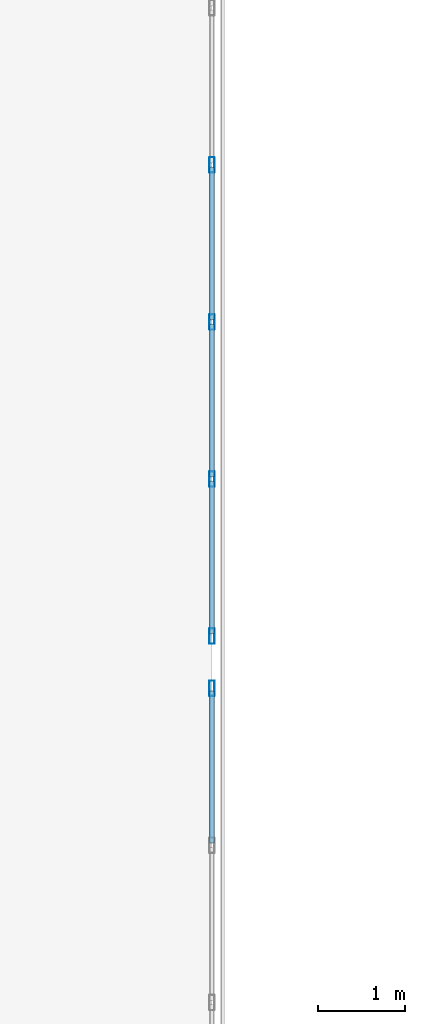
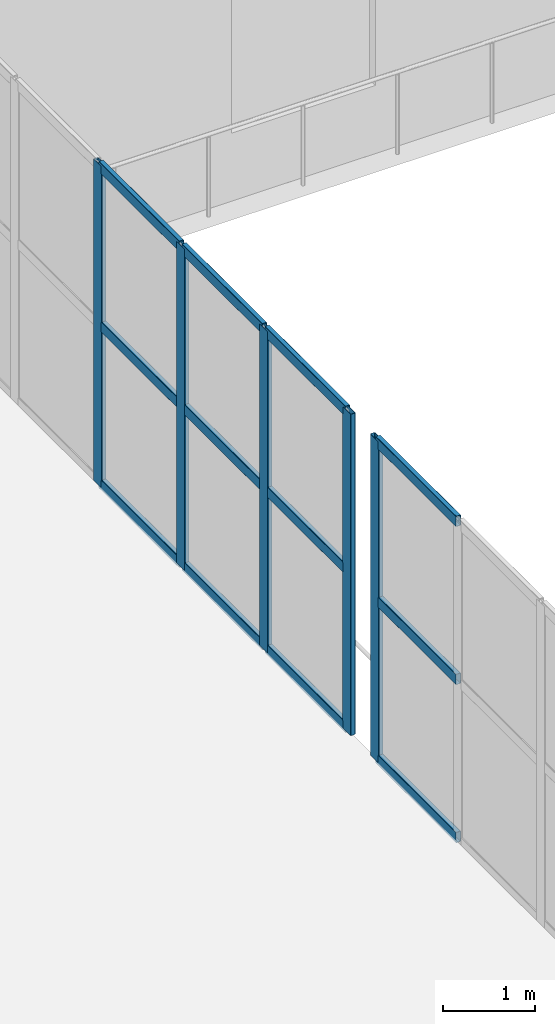
# One storey, part 60 of 170: 17 members, 2 elements without a shape of their own.
"""IFC4 building model written with IfcOpenShell, lengths in metres."""

import ifcopenshell
import ifcopenshell.guid

model = None  # the IFC model being written
_history = None  # IfcOwnerHistory: only IFC2X3 demands one
_inside = {}  # id of a spatial element -> (the spatial element, [elements in it])
_under = {}  # id of a project, library or spatial element -> (it, [spatial elements below it])
_declared = {}  # id of a project -> (the project, [libraries it declares])
_typed = {}  # id of a type object -> (the type object, [elements of that type])
_made_of = {}  # id of a material, layer set ... -> (it, [elements and type objects made of it])


def new_model(schema):
    """Start an empty IFC model of exactly this schema.

    Asked for "IFC4X3", IfcOpenShell would pick the latest addendum, in which some entities
    have other attributes; the version numbers below select the first issue.
    IFC2X3 requires an IfcOwnerHistory on every rooted entity: one is made here for all.
    """
    global model, _history
    if schema == "IFC4X3":
        model = ifcopenshell.file(schema_version=(4, 3, 0, 0))
    else:
        model = ifcopenshell.file(schema=schema)
    _inside.clear()
    _under.clear()
    _declared.clear()
    _typed.clear()
    _made_of.clear()
    _history = None
    if model.schema == "IFC2X3":
        org = make("IfcOrganization", Name="unknown")
        user = make(
            "IfcPersonAndOrganization",
            ThePerson=make("IfcPerson", FamilyName="unknown"),
            TheOrganization=org,
        )
        app = make(
            "IfcApplication",
            ApplicationDeveloper=org,
            Version="unknown",
            ApplicationFullName="unknown",
            ApplicationIdentifier="unknown",
        )
        _history = make(
            "IfcOwnerHistory",
            OwningUser=user,
            OwningApplication=app,
            ChangeAction="ADDED",
            CreationDate=0,
        )
    return model


def make(cls, **values):
    """One entity of the class cls with the attributes given. An attribute that is None is left unset."""
    return model.create_entity(
        cls, **{name: value for name, value in values.items() if value is not None}
    )


def rooted(cls, **values):
    """An entity with a GlobalId (a new one), such as an element, a storey or a relation."""
    return make(cls, GlobalId=ifcopenshell.guid.new(), OwnerHistory=_history, **values)


def si_unit(unit_type, name, prefix=None):
    """IfcSIUnit, for example si_unit("LENGTHUNIT", "METRE", prefix="MILLI")."""
    return make("IfcSIUnit", UnitType=unit_type, Prefix=prefix, Name=name)


def assignment(units):
    """IfcUnitAssignment: the units of a project."""
    return None if units is None else make("IfcUnitAssignment", Units=units)


def point(xyz):
    """IfcCartesianPoint."""
    return None if xyz is None else make("IfcCartesianPoint", Coordinates=xyz)


def direction(xyz):
    """IfcDirection."""
    return None if xyz is None else make("IfcDirection", DirectionRatios=xyz)


def frame(location, z_axis=None, x_axis=None):
    """IfcAxis2Placement3D, a coordinate frame: its origin and axes. An axis left out is left unset."""
    return make(
        "IfcAxis2Placement3D",
        Location=point(location),
        Axis=direction(z_axis),
        RefDirection=direction(x_axis),
    )


def frame_2d(location, x_axis=None):
    """IfcAxis2Placement2D, a coordinate frame in the plane: its origin and x axis."""
    return make(
        "IfcAxis2Placement2D", Location=point(location), RefDirection=direction(x_axis)
    )


def origin():
    """The frame at (0, 0, 0) with its axes left unset."""
    return frame((0.0, 0.0, 0.0))


def origin_2d():
    """The frame at (0, 0) in the plane with its x axis left unset."""
    return frame_2d((0.0, 0.0))


def place(relative_to, where):
    """IfcLocalPlacement: puts the frame where relative to a parent placement (None: the world)."""
    return make(
        "IfcLocalPlacement", PlacementRelTo=relative_to, RelativePlacement=where
    )


def context(
    kind, dimensions, precision=None, world=None, true_north=None, identifier=None
):
    """IfcGeometricRepresentationContext, for example the 3D "Model" context."""
    return make(
        "IfcGeometricRepresentationContext",
        ContextIdentifier=identifier,
        ContextType=kind,
        CoordinateSpaceDimension=dimensions,
        Precision=precision,
        WorldCoordinateSystem=world,
        TrueNorth=true_north,
    )


def subcontext(parent, identifier, kind, view, scale=None):
    """IfcGeometricRepresentationSubContext, for example "Body" below "Model"."""
    return make(
        "IfcGeometricRepresentationSubContext",
        ContextIdentifier=identifier,
        ContextType=kind,
        ParentContext=parent,
        TargetScale=scale,
        TargetView=view,
    )


def project(units=None, contexts=None):
    """IfcProject with its units and contexts."""
    return rooted(
        "IfcProject",
        Name="project",
        RepresentationContexts=contexts,
        UnitsInContext=assignment(units),
    )


def spatial(cls, under=None, at=None, **own):
    """A site, building, storey or space (cls), placed at a placement, below another one or the project."""
    s = rooted(cls, ObjectPlacement=at, **own)
    if under is not None:
        _under.setdefault(under.id(), (under, []))[1].append(s)
    return s


def profile(cls, at=None, kind="AREA", **sizes):
    """A parametric profile (cls). Its sizes go by their IFC names, for example OverallWidth=200.0."""
    return make(cls, ProfileType=kind, Position=at, **sizes)


def hollow_rectangle(**sizes):
    """IfcRectangleHollowProfileDef."""
    return profile("IfcRectangleHollowProfileDef", **sizes)


def extrude(swept, where, along, depth):
    """IfcExtrudedAreaSolid: the profile swept, set in the frame where, extruded along a direction by depth."""
    return make(
        "IfcExtrudedAreaSolid",
        SweptArea=swept,
        Position=where,
        ExtrudedDirection=direction(along),
        Depth=depth,
    )


def shape(context_of_items, identifier, shape_type, items):
    """IfcShapeRepresentation: the items that make up one representation, for example the "Body"."""
    return make(
        "IfcShapeRepresentation",
        ContextOfItems=context_of_items,
        RepresentationIdentifier=identifier,
        RepresentationType=shape_type,
        Items=items,
    )


def material(Name=None, Category=None):
    """IfcMaterial."""
    return make("IfcMaterial", Name=Name, Category=Category)


def material_profile(
    of_material, cross_section, Name=None, Category=None, Priority=None
):
    """IfcMaterialProfile: a cross section and its material."""
    return make(
        "IfcMaterialProfile",
        Name=Name,
        Material=of_material,
        Profile=cross_section,
        Priority=Priority,
        Category=Category,
    )


def profile_set(profiles, Name=None, composite=None):
    """IfcMaterialProfileSet."""
    return make(
        "IfcMaterialProfileSet",
        Name=Name,
        MaterialProfiles=profiles,
        CompositeProfile=composite,
    )


def made_of(thing, what):
    """Note that an element or type object is made of a material, layer set ...; save() writes the relation."""
    if what is not None:
        _made_of.setdefault(what.id(), (what, []))[1].append(thing)
    return thing


def type_object(cls, material=None, **own):
    """A type object (cls), such as IfcWallType, which elements share."""
    return made_of(rooted(cls, **own), material)


def element(
    cls,
    number,
    at=None,
    inside=None,
    cuts=None,
    type_object=None,
    material=None,
    context=None,
    identifier="Body",
    shape_type=None,
    held_by="IfcProductDefinitionShape",
    body=None,
    shapes=None,
    **own,
):
    """One element of the class cls, such as IfcWall. Its Tag is "e" and its number.

    at: its placement. inside: the storey or other place that contains it. cuts: it is an
    opening in that element (IfcRelVoidsElement). A single representation is given by context,
    identifier, shape_type and body (its items); several are given by shapes. held_by: the class
    of the entity that holds the representations. save() writes the other relations.
    """
    e = rooted(cls, Tag="e%d" % number, ObjectPlacement=at, **own)
    if body is not None:
        shapes = [shape(context, identifier, shape_type, body)]
    if shapes is not None:
        e.Representation = make(held_by, Representations=shapes)
    if inside is not None:
        _inside.setdefault(inside.id(), (inside, []))[1].append(e)
    if cuts is not None:
        rooted(
            "IfcRelVoidsElement", RelatingBuildingElement=cuts, RelatedOpeningElement=e
        )
    if type_object is not None:
        _typed.setdefault(type_object.id(), (type_object, []))[1].append(e)
    return made_of(e, material)


def aggregate(whole, parts):
    """IfcRelAggregates: a whole, such as a stair, and the parts it consists of."""
    return rooted("IfcRelAggregates", RelatingObject=whole, RelatedObjects=parts)


def save(model, path):
    """Write the relations noted so far, then the file.

    IfcRelAggregates (storeys below a building ...), IfcRelContainedInSpatialStructure (elements
    in a storey), IfcRelDefinesByType, IfcRelAssociatesMaterial and IfcRelDeclares: one each for
    every whole, place, type object, material and project.
    """
    for whole, parts in _under.values():
        aggregate(whole, parts)
    for where, things in _inside.values():
        rooted(
            "IfcRelContainedInSpatialStructure",
            RelatedElements=things,
            RelatingStructure=where,
        )
    for kind, things in _typed.values():
        rooted("IfcRelDefinesByType", RelatedObjects=things, RelatingType=kind)
    for what, things in _made_of.values():
        rooted("IfcRelAssociatesMaterial", RelatedObjects=things, RelatingMaterial=what)
    for by, libraries in _declared.values():
        rooted("IfcRelDeclares", RelatingContext=by, RelatedDefinitions=libraries)
    model.write(path)


model = new_model("IFC4")

# Units and contexts
model_context = context("Model", 3, precision=1e-05, world=origin(), true_north=direction((0.0, 1.0)))
body_context = subcontext(model_context, "Body", "Model", "MODEL_VIEW")
ifc_project = project(units=[si_unit("LENGTHUNIT", "METRE"), si_unit("AREAUNIT", "SQUARE_METRE"), si_unit("VOLUMEUNIT", "CUBIC_METRE"), si_unit("PLANEANGLEUNIT", "RADIAN"), si_unit("MASSUNIT", "GRAM", prefix="KILO")], contexts=[model_context])

# Site, building, storey
site_placement = place(None, origin())
site = spatial("IfcSite", under=ifc_project, at=site_placement, CompositionType="ELEMENT")
building_placement = place(site_placement, origin())
building = spatial("IfcBuilding", under=site, at=building_placement, Name="Coralgate Yard Interchange", CompositionType="ELEMENT")
storey_placement = place(building_placement, frame((0.0, 0.0, 6.0)))
storey = spatial("IfcBuildingStorey", under=building, at=storey_placement, Name="L01", CompositionType="ELEMENT", Elevation=6.0)

# Curtain wall, member
ifc_material_1 = material(Name="Anodised coastal aluminium and solar-control low-E glass", Category="aluminium")
curtain_wall_type = type_object("IfcCurtainWallType", Name="CW-CW-L01-B", PredefinedType="NOTDEFINED", material=ifc_material_1)
curtain_wall_1_placement = place(storey_placement, origin())
curtain_wall_1 = element("IfcCurtainWall", 1, at=curtain_wall_1_placement, inside=storey, type_object=curtain_wall_type, Name="L01 unitised curtain wall CW-L01-E-04-05", PredefinedType="NOTDEFINED")
ifc_material_2 = material(Name="Anodised coastal aluminium 6063-T6", Category="aluminium")
ifc_material_profile_1 = material_profile(ifc_material_2, hollow_rectangle(XDim=0.06005859375, YDim=0.179931640625, WallThickness=0.00390625, InnerFilletRadius=0.00390625, OuterFilletRadius=0.008056640625, at=origin_2d()), Name="ALU 60x180x4")
ifc_profile_set_1 = profile_set([ifc_material_profile_1], Name="Anodised coastal aluminium 6063-T6")
member_type_1 = type_object("IfcMemberType", Name="MB-MUL-180", PredefinedType="MULLION", material=ifc_profile_set_1)
member_1_placement = place(storey_placement, frame((48.0, 57.300048828125, 0.0), z_axis=(0.0, 0.0, 1.0), x_axis=(1.0, 0.0, 0.0)))
member_1 = element("IfcMember", 2, at=member_1_placement, type_object=member_type_1, Name="CW-L01-E-04-05 vertical mullion 1", PredefinedType="MULLION", context=body_context, shape_type="SweptSolid", body=[
    extrude(hollow_rectangle(XDim=0.06005859375, YDim=0.179931640625, WallThickness=0.00390625, InnerFilletRadius=0.00390625, OuterFilletRadius=0.008056640625, at=origin_2d()), origin(), (0.0, 0.0, 1.0), 4.25),
])

# Curtain wall, members
curtain_wall_2_placement = place(storey_placement, origin())
curtain_wall_2 = element("IfcCurtainWall", 3, at=curtain_wall_2_placement, inside=storey, type_object=curtain_wall_type, Name="L01 unitised curtain wall CW-L01-E-04-06", PredefinedType="NOTDEFINED")
member_2_placement = place(storey_placement, frame((48.0, 63.300048828125, 0.0), z_axis=(0.0, 0.0, 1.0), x_axis=(1.0, 0.0, 0.0)))
member_2 = element("IfcMember", 4, at=member_2_placement, type_object=member_type_1, Name="CW-L01-E-04-06 vertical mullion 3", PredefinedType="MULLION", context=body_context, shape_type="SweptSolid", body=[
    extrude(hollow_rectangle(XDim=0.06005859375, YDim=0.179931640625, WallThickness=0.00390625, InnerFilletRadius=0.00390625, OuterFilletRadius=0.008056640625, at=origin_2d()), origin(), (0.0, 0.0, 1.0), 4.25),
])
member_3_placement = place(storey_placement, frame((48.0, 61.5, 0.0), z_axis=(0.0, 0.0, 1.0), x_axis=(1.0, 0.0, 0.0)))
member_3 = element("IfcMember", 5, at=member_3_placement, type_object=member_type_1, Name="CW-L01-E-04-06 vertical mullion 4", PredefinedType="MULLION", context=body_context, shape_type="SweptSolid", body=[
    extrude(hollow_rectangle(XDim=0.06005859375, YDim=0.179931640625, WallThickness=0.00390625, InnerFilletRadius=0.00390625, OuterFilletRadius=0.008056640625, at=origin_2d()), origin(), (0.0, 0.0, 1.0), 4.25),
])
member_4_placement = place(storey_placement, frame((48.0, 59.699951171875, 0.0), z_axis=(0.0, 0.0, 1.0), x_axis=(1.0, 0.0, 0.0)))
member_4 = element("IfcMember", 6, at=member_4_placement, type_object=member_type_1, Name="CW-L01-E-04-06 vertical mullion 5", PredefinedType="MULLION", context=body_context, shape_type="SweptSolid", body=[
    extrude(hollow_rectangle(XDim=0.06005859375, YDim=0.179931640625, WallThickness=0.00390625, InnerFilletRadius=0.00390625, OuterFilletRadius=0.008056640625, at=origin_2d()), origin(), (0.0, 0.0, 1.0), 4.25),
])
member_5_placement = place(storey_placement, frame((48.0, 57.89990234375, 0.0), z_axis=(0.0, 0.0, 1.0), x_axis=(1.0, 0.0, 0.0)))
member_5 = element("IfcMember", 7, at=member_5_placement, type_object=member_type_1, Name="CW-L01-E-04-06 vertical mullion 6", PredefinedType="MULLION", context=body_context, shape_type="SweptSolid", body=[
    extrude(hollow_rectangle(XDim=0.06005859375, YDim=0.179931640625, WallThickness=0.00390625, InnerFilletRadius=0.00390625, OuterFilletRadius=0.008056640625, at=origin_2d()), origin(), (0.0, 0.0, 1.0), 4.25),
])

# Member
ifc_material_profile_2 = material_profile(ifc_material_2, hollow_rectangle(XDim=0.06005859375, YDim=0.139892578125, WallThickness=0.00341796875, InnerFilletRadius=0.00341796875, OuterFilletRadius=0.007080078125, at=origin_2d()), Name="ALU 60x140x3.5")
ifc_profile_set_2 = profile_set([ifc_material_profile_2], Name="Anodised coastal aluminium 6063-T6")
member_type_2 = type_object("IfcMemberType", Name="MB-TRN-140", PredefinedType="USERDEFINED", material=ifc_profile_set_2)
member_6_placement = place(storey_placement, frame((48.0, 57.27001953125, 0.034912109375), z_axis=(0.0, -1.0, 0.0), x_axis=(1.0, 0.0, 0.0)))
member_6 = element("IfcMember", 8, at=member_6_placement, type_object=member_type_2, Name="CW-L01-E-04-05 horizontal transom 1-1", ObjectType="TRANSOM", PredefinedType="USERDEFINED", context=body_context, shape_type="SweptSolid", body=[
    extrude(hollow_rectangle(XDim=0.06005859375, YDim=0.139892578125, WallThickness=0.00341796875, InnerFilletRadius=0.00341796875, OuterFilletRadius=0.007080078125, at=origin_2d()), origin(), (0.0, 0.0, 1.0), 1.739990234375),
])

member_7_placement = place(storey_placement, frame((48.0, 57.27001953125, 2.125), z_axis=(0.0, -1.0, 0.0), x_axis=(1.0, 0.0, 0.0)))
member_7 = element("IfcMember", 9, at=member_7_placement, type_object=member_type_2, Name="CW-L01-E-04-05 horizontal transom 1-2", ObjectType="TRANSOM", PredefinedType="USERDEFINED", context=body_context, shape_type="SweptSolid", body=[
    extrude(hollow_rectangle(XDim=0.06005859375, YDim=0.139892578125, WallThickness=0.00341796875, InnerFilletRadius=0.00341796875, OuterFilletRadius=0.007080078125, at=origin_2d()), origin(), (0.0, 0.0, 1.0), 1.739990234375),
])

member_8_placement = place(storey_placement, frame((48.0, 57.27001953125, 4.215087890625), z_axis=(0.0, -1.0, 0.0), x_axis=(1.0, 0.0, 0.0)))
member_8 = element("IfcMember", 10, at=member_8_placement, type_object=member_type_2, Name="CW-L01-E-04-05 horizontal transom 1-3", ObjectType="TRANSOM", PredefinedType="USERDEFINED", context=body_context, shape_type="SweptSolid", body=[
    extrude(hollow_rectangle(XDim=0.06005859375, YDim=0.139892578125, WallThickness=0.00341796875, InnerFilletRadius=0.00341796875, OuterFilletRadius=0.007080078125, at=origin_2d()), origin(), (0.0, 0.0, 1.0), 1.739990234375),
])

aggregate(curtain_wall_1, [member_1, member_6, member_7, member_8])

member_9_placement = place(storey_placement, frame((48.0, 63.27001953125, 0.034912109375), z_axis=(0.0, -1.0, 0.0), x_axis=(1.0, 0.0, 0.0)))
member_9 = element("IfcMember", 11, at=member_9_placement, type_object=member_type_2, Name="CW-L01-E-04-06 horizontal transom 3-1", ObjectType="TRANSOM", PredefinedType="USERDEFINED", context=body_context, shape_type="SweptSolid", body=[
    extrude(hollow_rectangle(XDim=0.06005859375, YDim=0.139892578125, WallThickness=0.00341796875, InnerFilletRadius=0.00341796875, OuterFilletRadius=0.007080078125, at=origin_2d()), origin(), (0.0, 0.0, 1.0), 1.739990234375),
])

member_10_placement = place(storey_placement, frame((48.0, 63.27001953125, 2.125), z_axis=(0.0, -1.0, 0.0), x_axis=(1.0, 0.0, 0.0)))
member_10 = element("IfcMember", 12, at=member_10_placement, type_object=member_type_2, Name="CW-L01-E-04-06 horizontal transom 3-2", ObjectType="TRANSOM", PredefinedType="USERDEFINED", context=body_context, shape_type="SweptSolid", body=[
    extrude(hollow_rectangle(XDim=0.06005859375, YDim=0.139892578125, WallThickness=0.00341796875, InnerFilletRadius=0.00341796875, OuterFilletRadius=0.007080078125, at=origin_2d()), origin(), (0.0, 0.0, 1.0), 1.739990234375),
])

member_11_placement = place(storey_placement, frame((48.0, 63.27001953125, 4.215087890625), z_axis=(0.0, -1.0, 0.0), x_axis=(1.0, 0.0, 0.0)))
member_11 = element("IfcMember", 13, at=member_11_placement, type_object=member_type_2, Name="CW-L01-E-04-06 horizontal transom 3-3", ObjectType="TRANSOM", PredefinedType="USERDEFINED", context=body_context, shape_type="SweptSolid", body=[
    extrude(hollow_rectangle(XDim=0.06005859375, YDim=0.139892578125, WallThickness=0.00341796875, InnerFilletRadius=0.00341796875, OuterFilletRadius=0.007080078125, at=origin_2d()), origin(), (0.0, 0.0, 1.0), 1.739990234375),
])

member_12_placement = place(storey_placement, frame((48.0, 61.469970703125, 0.034912109375), z_axis=(0.0, -1.0, 0.0), x_axis=(1.0, 0.0, 0.0)))
member_12 = element("IfcMember", 14, at=member_12_placement, type_object=member_type_2, Name="CW-L01-E-04-06 horizontal transom 4-1", ObjectType="TRANSOM", PredefinedType="USERDEFINED", context=body_context, shape_type="SweptSolid", body=[
    extrude(hollow_rectangle(XDim=0.06005859375, YDim=0.139892578125, WallThickness=0.00341796875, InnerFilletRadius=0.00341796875, OuterFilletRadius=0.007080078125, at=origin_2d()), origin(), (0.0, 0.0, 1.0), 1.739990234375),
])

member_13_placement = place(storey_placement, frame((48.0, 61.469970703125, 2.125), z_axis=(0.0, -1.0, 0.0), x_axis=(1.0, 0.0, 0.0)))
member_13 = element("IfcMember", 15, at=member_13_placement, type_object=member_type_2, Name="CW-L01-E-04-06 horizontal transom 4-2", ObjectType="TRANSOM", PredefinedType="USERDEFINED", context=body_context, shape_type="SweptSolid", body=[
    extrude(hollow_rectangle(XDim=0.06005859375, YDim=0.139892578125, WallThickness=0.00341796875, InnerFilletRadius=0.00341796875, OuterFilletRadius=0.007080078125, at=origin_2d()), origin(), (0.0, 0.0, 1.0), 1.739990234375),
])

member_14_placement = place(storey_placement, frame((48.0, 61.469970703125, 4.215087890625), z_axis=(0.0, -1.0, 0.0), x_axis=(1.0, 0.0, 0.0)))
member_14 = element("IfcMember", 16, at=member_14_placement, type_object=member_type_2, Name="CW-L01-E-04-06 horizontal transom 4-3", ObjectType="TRANSOM", PredefinedType="USERDEFINED", context=body_context, shape_type="SweptSolid", body=[
    extrude(hollow_rectangle(XDim=0.06005859375, YDim=0.139892578125, WallThickness=0.00341796875, InnerFilletRadius=0.00341796875, OuterFilletRadius=0.007080078125, at=origin_2d()), origin(), (0.0, 0.0, 1.0), 1.739990234375),
])

member_15_placement = place(storey_placement, frame((48.0, 59.669921875, 0.034912109375), z_axis=(0.0, -1.0, 0.0), x_axis=(1.0, 0.0, 0.0)))
member_15 = element("IfcMember", 17, at=member_15_placement, type_object=member_type_2, Name="CW-L01-E-04-06 horizontal transom 5-1", ObjectType="TRANSOM", PredefinedType="USERDEFINED", context=body_context, shape_type="SweptSolid", body=[
    extrude(hollow_rectangle(XDim=0.06005859375, YDim=0.139892578125, WallThickness=0.00341796875, InnerFilletRadius=0.00341796875, OuterFilletRadius=0.007080078125, at=origin_2d()), origin(), (0.0, 0.0, 1.0), 1.739990234375),
])

member_16_placement = place(storey_placement, frame((48.0, 59.669921875, 2.125), z_axis=(0.0, -1.0, 0.0), x_axis=(1.0, 0.0, 0.0)))
member_16 = element("IfcMember", 18, at=member_16_placement, type_object=member_type_2, Name="CW-L01-E-04-06 horizontal transom 5-2", ObjectType="TRANSOM", PredefinedType="USERDEFINED", context=body_context, shape_type="SweptSolid", body=[
    extrude(hollow_rectangle(XDim=0.06005859375, YDim=0.139892578125, WallThickness=0.00341796875, InnerFilletRadius=0.00341796875, OuterFilletRadius=0.007080078125, at=origin_2d()), origin(), (0.0, 0.0, 1.0), 1.739990234375),
])

member_17_placement = place(storey_placement, frame((48.0, 59.669921875, 4.215087890625), z_axis=(0.0, -1.0, 0.0), x_axis=(1.0, 0.0, 0.0)))
member_17 = element("IfcMember", 19, at=member_17_placement, type_object=member_type_2, Name="CW-L01-E-04-06 horizontal transom 5-3", ObjectType="TRANSOM", PredefinedType="USERDEFINED", context=body_context, shape_type="SweptSolid", body=[
    extrude(hollow_rectangle(XDim=0.06005859375, YDim=0.139892578125, WallThickness=0.00341796875, InnerFilletRadius=0.00341796875, OuterFilletRadius=0.007080078125, at=origin_2d()), origin(), (0.0, 0.0, 1.0), 1.739990234375),
])

aggregate(curtain_wall_2, [member_2, member_3, member_4, member_5, member_9, member_10, member_11, member_12, member_13, member_14, member_15, member_16, member_17])

save(model, "model.ifc")
